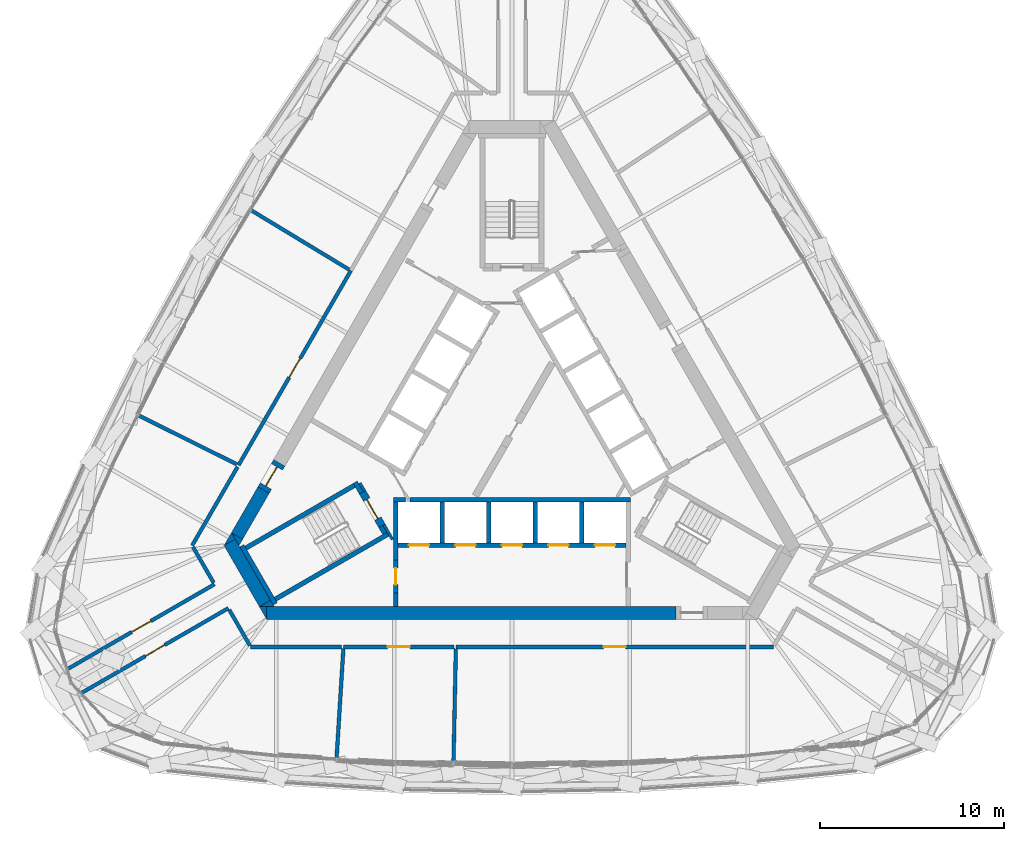
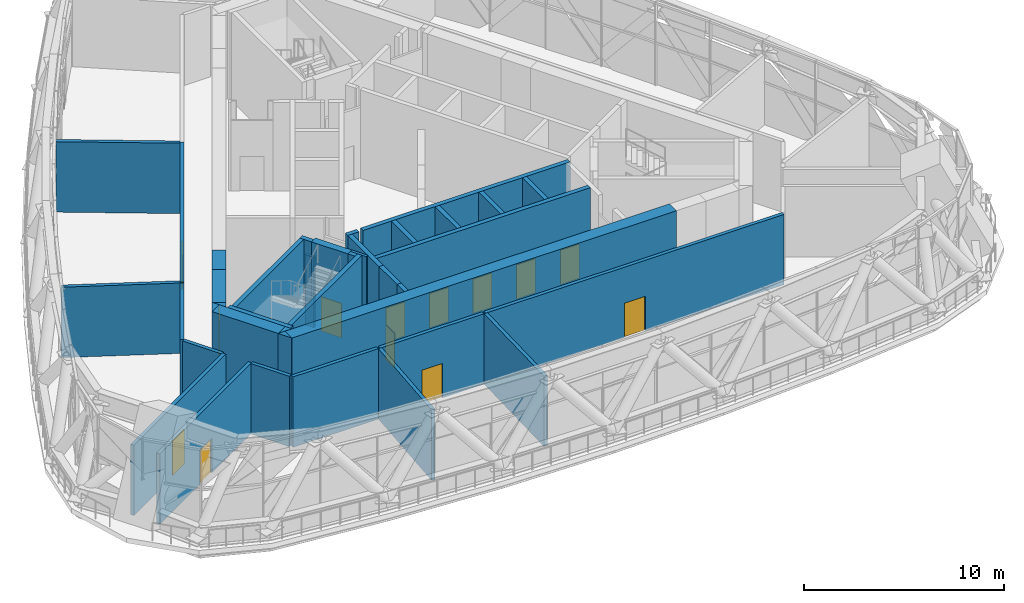
# One storey, part 20 of 33: 39 walls, 13 doors, 13 openings.
"""IFC4 building model written with IfcOpenShell, lengths in metres."""

from ifc_helpers import new_model, si_unit, direction, frame, frame_2d, origin, place, context, subcontext, project, spatial, polyline, rectangle, outline, extrude, material, layer, layer_set, type_object, element, fill, save


model = new_model("IFC4")

# Units and contexts
model_context = context("Model", 3, precision=1e-05, world=origin(), true_north=direction((0.0, 1.0)))
body_context = subcontext(model_context, "Body", "Model", "MODEL_VIEW")
ifc_project = project(units=[si_unit("LENGTHUNIT", "METRE"), si_unit("AREAUNIT", "SQUARE_METRE"), si_unit("VOLUMEUNIT", "CUBIC_METRE"), si_unit("PLANEANGLEUNIT", "RADIAN"), si_unit("MASSUNIT", "GRAM", prefix="KILO")], contexts=[model_context])

# Site, building, storey
site_placement = place(None, origin())
site = spatial("IfcSite", under=ifc_project, at=site_placement, CompositionType="ELEMENT")
building_placement = place(site_placement, origin())
building = spatial("IfcBuilding", under=site, at=building_placement, Name="Mestral Congress Tower", CompositionType="ELEMENT")
storey_placement = place(building_placement, frame((0.0, 0.0, 256.199951171875)))
storey = spatial("IfcBuildingStorey", under=building, at=storey_placement, Name="L60", CompositionType="ELEMENT", Elevation=256.199951171875)

# Walls
ifc_material_1 = material(Name="Fire-rated board partition")
ifc_layer_1 = layer(ifc_material_1, 0.14990234375)
ifc_layer_set_1 = layer_set([ifc_layer_1], Name="Fire-rated board partition")
wall_type_1 = type_object("IfcWallType", Name="Core partition 150", PredefinedType="PARTITIONING", material=ifc_layer_set_1)
wall_1_placement = place(storey_placement, frame((-8.251953125, -2.958251953125, 0.0), z_axis=(0.0, 0.0, 1.0), x_axis=(0.500174715838, -0.865924508047, 0.0)))
element("IfcWall", 1, at=wall_1_placement, inside=storey, type_object=wall_type_1, Name="L60 core wall", PredefinedType="PARTITIONING", context=body_context, shape_type="SweptSolid", body=[
    extrude(rectangle(XDim=0.513916015625, YDim=0.14990234375, at=frame_2d((0.2568359375, 0.0))), origin(), (0.0, 0.0, 1.0), 4.300048828125),
])
ifc_material_2 = material(Name="Concrete C60/75", Category="concrete")
ifc_layer_2 = layer(ifc_material_2, 0.699951171875)
ifc_layer_set_2 = layer_set([ifc_layer_2], Name="Concrete C60/75")
wall_type_2 = type_object("IfcWallType", Name="Core wall RC 700", PredefinedType="SOLIDWALL", material=ifc_layer_set_2)
wall_2_placement = place(storey_placement, frame((8.904296875, -10.0, 0.0), z_axis=(0.0, 0.0, 1.0), x_axis=(-1.0, 0.0, 0.0)))
element("IfcWall", 2, at=wall_2_placement, inside=storey, type_object=wall_type_2, Name="L60 core wall", PredefinedType="SOLIDWALL", context=body_context, shape_type="SweptSolid", body=[
    extrude(rectangle(XDim=22.226318359375, YDim=0.699951171875, at=frame_2d((11.11328125, 0.0))), origin(), (0.0, 0.0, 1.0), 5.400146484375),
])
placement = place(storey_placement, origin())
element("IfcWall", 3, at=placement, inside=storey, type_object=wall_type_2, Name="L60 core wall", PredefinedType="SOLIDWALL", context=body_context, shape_type="SweptSolid", body=[
    extrude(outline(polyline([(-13.7119140625, -9.64990234375), (-13.323974609375, -9.64990234375), (-13.323974609375, -10.322021484375), (-13.7119140625, -9.64990234375)])), origin(), (0.0, 0.0, 1.0), 5.400146484375),
])
wall_4_placement = place(storey_placement, frame((-13.40185546875, -9.4873046875, 0.0), z_axis=(0.0, 0.0, 1.0), x_axis=(-0.500020498207, 0.866013568815, 0.0)))
element("IfcWall", 4, at=wall_4_placement, inside=storey, type_object=wall_type_2, Name="L60 core wall", PredefinedType="SOLIDWALL", context=body_context, shape_type="SweptSolid", body=[
    extrude(rectangle(XDim=3.828857421875, YDim=0.699951171875, at=frame_2d((1.91455078125, 0.0))), origin(), (0.0, 0.0, 1.0), 5.400146484375),
])
element("IfcWall", 5, at=placement, inside=storey, type_object=wall_type_2, Name="L60 core wall", PredefinedType="SOLIDWALL", context=body_context, shape_type="SweptSolid", body=[
    extrude(outline(polyline([(-15.01416015625, -5.99462890625), (-15.611083984375, -6.33935546875), (-15.213134765625, -5.64990234375), (-15.01416015625, -5.99462890625)])), origin(), (0.0, 0.0, 1.0), 5.400146484375),
])
element("IfcWall", 6, at=placement, inside=storey, type_object=wall_type_2, Name="L60 core wall", PredefinedType="SOLIDWALL", context=body_context, shape_type="SweptSolid", body=[
    extrude(outline(polyline([(-12.90380859375, -9.64990234375), (-13.6796875, -9.64990234375), (-13.097900390625, -9.31396484375), (-12.90380859375, -9.64990234375)])), origin(), (0.0, 0.0, 1.0), 5.400146484375),
])
wall_7_placement = place(storey_placement, frame((-13.474853515625, -3.33935546875, 0.0), z_axis=(0.0, 0.0, 1.0), x_axis=(-0.500008214683, -0.866020660983, 0.0)))
element("IfcWall", 7, at=wall_7_placement, inside=storey, type_object=wall_type_2, Name="L60 core wall", PredefinedType="SOLIDWALL", context=body_context, shape_type="SweptSolid", body=[
    extrude(rectangle(XDim=2.88427734375, YDim=0.699951171875, at=frame_2d((1.442138671875, 0.0))), origin(), (0.0, 0.0, 1.0), 5.400146484375),
])
element("IfcWall", 8, at=placement, inside=storey, type_object=wall_type_2, Name="L60 core wall", PredefinedType="SOLIDWALL", context=body_context, shape_type="SweptSolid", body=[
    extrude(outline(polyline([(-14.80908203125, -6.35009765625), (-15.197021484375, -5.677978515625), (-14.614990234375, -6.013916015625), (-14.80908203125, -6.35009765625)])), origin(), (0.0, 0.0, 1.0), 5.400146484375),
])

# Wall, opening, door
wall_9_placement = place(storey_placement, frame((-13.474853515625, -3.339111328125, 0.0), z_axis=(0.0, 0.0, 1.0), x_axis=(0.499954529098, 0.86605165483, 0.0)))
wall_9 = element("IfcWall", 9, at=wall_9_placement, inside=storey, type_object=wall_type_2, Name="L60 door wall", PredefinedType="SOLIDWALL", context=body_context, shape_type="SweptSolid", body=[
    extrude(rectangle(XDim=1.699951171875, YDim=0.699951171875, at=frame_2d((0.85009765625, 0.0))), origin(), (0.0, 0.0, 1.0), 5.400146484375),
])
opening_1_placement = place(wall_9_placement, frame((0.25, 0.0, 0.0)))
opening_1 = element("IfcOpeningElement", 10, at=opening_1_placement, cuts=wall_9, Name="Opening XD3", PredefinedType="OPENING", context=body_context, shape_type="SweptSolid", body=[
    extrude(rectangle(XDim=1.199951171875, YDim=2.10009765625, at=frame_2d((0.60009765625, 1.050048828125))), frame((0.0, 0.35986328125, 0.0), z_axis=(0.0, -1.0, 0.0), x_axis=(1.0, 0.0, 0.0)), (0.0, 0.0, 1.0), 0.719970703125),
])
ifc_material_3 = material(Name="Fire-rated steel door set", Category="steel")
door_type_1 = type_object("IfcDoorType", Name="Core door XD 1200x2100", OperationType="SINGLE_SWING_LEFT", PredefinedType="DOOR", material=ifc_material_3)
door_1_placement = place(opening_1_placement, origin())
door_1 = element("IfcDoor", 11, at=door_1_placement, inside=storey, type_object=door_type_1, Name="Door XD3", OperationType="SINGLE_SWING_LEFT", OverallHeight=2.10009765625, OverallWidth=1.199951171875, PredefinedType="DOOR", context=body_context, shape_type="SweptSolid", body=[
    extrude(rectangle(XDim=1.199951171875, YDim=2.10009765625, at=frame_2d((0.60009765625, 1.050048828125))), frame((0.0, 0.02490234375, 0.0), z_axis=(0.0, -1.0, 0.0), x_axis=(1.0, 0.0, 0.0)), (0.0, 0.0, 1.0), 0.050048828125),
])
fill(opening_1, door_1)

# Walls
ifc_layer_3 = layer(ifc_material_2, 0.25)
ifc_layer_set_3 = layer_set([ifc_layer_3], Name="Concrete C60/75")
wall_type_3 = type_object("IfcWallType", Name="Shaft wall RC 250", PredefinedType="SOLIDWALL", material=ifc_layer_set_3)
wall_10_placement = place(storey_placement, frame((-6.300048828125, -8.9248046875, 0.0), z_axis=(0.0, 0.0, 1.0), x_axis=(0.0, -1.0, 0.0)))
element("IfcWall", 12, at=wall_10_placement, inside=storey, type_object=wall_type_3, Name="L60 core wall", PredefinedType="SOLIDWALL", context=body_context, shape_type="SweptSolid", body=[
    extrude(rectangle(XDim=0.72509765625, YDim=0.25, at=frame_2d((0.362548828125, 0.0))), origin(), (0.0, 0.0, 1.0), 5.400146484375),
])
wall_11_placement = place(storey_placement, frame((-5.544921875, -3.875, 0.0), z_axis=(0.0, 0.0, 1.0), x_axis=(1.0, 0.0, 0.0)))
element("IfcWall", 13, at=wall_11_placement, inside=storey, type_object=wall_type_3, Name="L60 core wall", PredefinedType="SOLIDWALL", context=body_context, shape_type="SweptSolid", body=[
    extrude(rectangle(XDim=11.969970703125, YDim=0.25, at=frame_2d((5.98486328125, 0.0))), origin(), (0.0, 0.0, 1.0), 5.400146484375),
])
wall_12_placement = place(storey_placement, frame((-6.425048828125, -3.875, 0.0), z_axis=(0.0, 0.0, 1.0), x_axis=(1.0, 0.0, 0.0)))
element("IfcWall", 14, at=wall_12_placement, inside=storey, type_object=wall_type_3, Name="L60 core wall", PredefinedType="SOLIDWALL", context=body_context, shape_type="SweptSolid", body=[
    extrude(rectangle(XDim=0.657958984375, YDim=0.25, at=frame_2d((0.3291015625, 0.0))), origin(), (0.0, 0.0, 1.0), 5.400146484375),
])
for number, where, z_axis, x_axis, name in (
    (15, (3.780029296875, -4.0, 0.0), (0.0, 0.0, 1.0), (0.0, -1.0, 0.0), "L60 core wall"),
    (16, (1.260009765625, -4.0, 0.0), (0.0, 0.0, 1.0), (0.0, -1.0, 0.0), "L60 core wall"),
    (17, (-1.260009765625, -4.0, 0.0), (0.0, 0.0, 1.0), (0.0, -1.0, 0.0), "L60 core wall"),
    (18, (-3.780029296875, -4.0, 0.0), (0.0, 0.0, 1.0), (0.0, -1.0, 0.0), "L60 core wall"),
):
    element("IfcWall", number, at=place(storey_placement, frame(where, z_axis=z_axis, x_axis=x_axis)), inside=storey, type_object=wall_type_3, Name=name, PredefinedType="SOLIDWALL", context=body_context, shape_type="SweptSolid", body=[
        extrude(rectangle(XDim=2.199951171875, YDim=0.25, at=frame_2d((1.10009765625, 0.0))), origin(), (0.0, 0.0, 1.0), 5.400146484375),
    ])
wall_13_placement = place(storey_placement, frame((-6.300048828125, -7.12451171875, 0.0), z_axis=(0.0, 0.0, 1.0), x_axis=(0.0, 1.0, 0.0)))
element("IfcWall", 19, at=wall_13_placement, inside=storey, type_object=wall_type_3, Name="L60 core wall", PredefinedType="SOLIDWALL", context=body_context, shape_type="SweptSolid", body=[
    extrude(rectangle(XDim=3.12451171875, YDim=0.25, at=frame_2d((1.562255859375, 0.0))), origin(), (0.0, 0.0, 1.0), 5.400146484375),
])

# Wall, openings, doors
wall_14_placement = place(storey_placement, frame((-6.175048828125, -6.324951171875, 0.0), z_axis=(0.0, 0.0, 1.0), x_axis=(1.0, 0.0, 0.0)))
wall_14 = element("IfcWall", 20, at=wall_14_placement, inside=storey, type_object=wall_type_3, Name="L60 door wall", PredefinedType="SOLIDWALL", context=body_context, shape_type="SweptSolid", body=[
    extrude(rectangle(XDim=12.35009765625, YDim=0.25, at=frame_2d((6.175048828125, 0.0))), origin(), (0.0, 0.0, 1.0), 5.400146484375),
])
opening_2_placement = place(wall_14_placement, frame((0.5849609375, 0.0, 0.0)))
opening_2 = element("IfcOpeningElement", 21, at=opening_2_placement, cuts=wall_14, Name="Opening LD-SOB1", PredefinedType="OPENING", context=body_context, shape_type="SweptSolid", body=[
    extrude(rectangle(XDim=1.10009765625, YDim=2.10009765625, at=frame_2d((0.550048828125, 1.050048828125))), frame((0.0, 0.135009765625, 0.0), z_axis=(0.0, -1.0, 0.0), x_axis=(1.0, 0.0, 0.0)), (0.0, 0.0, 1.0), 0.27001953125),
])
opening_3_placement = place(wall_14_placement, frame((3.10498046875, 0.0, 0.0)))
opening_3 = element("IfcOpeningElement", 22, at=opening_3_placement, cuts=wall_14, Name="Opening LD-SOB2", PredefinedType="OPENING", context=body_context, shape_type="SweptSolid", body=[
    extrude(rectangle(XDim=1.10009765625, YDim=2.10009765625, at=frame_2d((0.550048828125, 1.050048828125))), frame((0.0, 0.135009765625, 0.0), z_axis=(0.0, -1.0, 0.0), x_axis=(1.0, 0.0, 0.0)), (0.0, 0.0, 1.0), 0.27001953125),
])
opening_4_placement = place(wall_14_placement, frame((5.625, 0.0, 0.0)))
opening_4 = element("IfcOpeningElement", 23, at=opening_4_placement, cuts=wall_14, Name="Opening LD-SOB3", PredefinedType="OPENING", context=body_context, shape_type="SweptSolid", body=[
    extrude(rectangle(XDim=1.10009765625, YDim=2.10009765625, at=frame_2d((0.550048828125, 1.050048828125))), frame((0.0, 0.135009765625, 0.0), z_axis=(0.0, -1.0, 0.0), x_axis=(1.0, 0.0, 0.0)), (0.0, 0.0, 1.0), 0.27001953125),
])
opening_5_placement = place(wall_14_placement, frame((8.14501953125, 0.0, 0.0)))
opening_5 = element("IfcOpeningElement", 24, at=opening_5_placement, cuts=wall_14, Name="Opening LD-SOB4", PredefinedType="OPENING", context=body_context, shape_type="SweptSolid", body=[
    extrude(rectangle(XDim=1.10009765625, YDim=2.10009765625, at=frame_2d((0.550048828125, 1.050048828125))), frame((0.0, 0.135009765625, 0.0), z_axis=(0.0, -1.0, 0.0), x_axis=(1.0, 0.0, 0.0)), (0.0, 0.0, 1.0), 0.27001953125),
])
opening_6_placement = place(wall_14_placement, frame((10.6650390625, 0.0, 0.0)))
opening_6 = element("IfcOpeningElement", 25, at=opening_6_placement, cuts=wall_14, Name="Opening LD-SOB5", PredefinedType="OPENING", context=body_context, shape_type="SweptSolid", body=[
    extrude(rectangle(XDim=1.10009765625, YDim=2.10009765625, at=frame_2d((0.550048828125, 1.050048828125))), frame((0.0, 0.135009765625, 0.0), z_axis=(0.0, -1.0, 0.0), x_axis=(1.0, 0.0, 0.0)), (0.0, 0.0, 1.0), 0.27001953125),
])
door_type_2 = type_object("IfcDoorType", Name="Core door LD 1100x2100", OperationType="DOUBLE_DOOR_SLIDING", PredefinedType="DOOR", material=ifc_material_3)
door_2_placement = place(opening_2_placement, origin())
door_2 = element("IfcDoor", 26, at=door_2_placement, inside=storey, type_object=door_type_2, Name="Door LD-SOB1", OperationType="DOUBLE_DOOR_SLIDING", OverallHeight=2.10009765625, OverallWidth=1.10009765625, PredefinedType="DOOR", context=body_context, shape_type="SweptSolid", body=[
    extrude(rectangle(XDim=1.10009765625, YDim=2.10009765625, at=frame_2d((0.550048828125, 1.050048828125))), frame((0.0, 0.02490234375, 0.0), z_axis=(0.0, -1.0, 0.0), x_axis=(1.0, 0.0, 0.0)), (0.0, 0.0, 1.0), 0.050048828125),
])
fill(opening_2, door_2)
door_3_placement = place(opening_3_placement, origin())
door_3 = element("IfcDoor", 27, at=door_3_placement, inside=storey, type_object=door_type_2, Name="Door LD-SOB2", OperationType="DOUBLE_DOOR_SLIDING", OverallHeight=2.10009765625, OverallWidth=1.10009765625, PredefinedType="DOOR", context=body_context, shape_type="SweptSolid", body=[
    extrude(rectangle(XDim=1.10009765625, YDim=2.10009765625, at=frame_2d((0.550048828125, 1.050048828125))), frame((0.0, 0.02490234375, 0.0), z_axis=(0.0, -1.0, 0.0), x_axis=(1.0, 0.0, 0.0)), (0.0, 0.0, 1.0), 0.050048828125),
])
fill(opening_3, door_3)
door_4_placement = place(opening_4_placement, origin())
door_4 = element("IfcDoor", 28, at=door_4_placement, inside=storey, type_object=door_type_2, Name="Door LD-SOB3", OperationType="DOUBLE_DOOR_SLIDING", OverallHeight=2.10009765625, OverallWidth=1.10009765625, PredefinedType="DOOR", context=body_context, shape_type="SweptSolid", body=[
    extrude(rectangle(XDim=1.10009765625, YDim=2.10009765625, at=frame_2d((0.550048828125, 1.050048828125))), frame((0.0, 0.02490234375, 0.0), z_axis=(0.0, -1.0, 0.0), x_axis=(1.0, 0.0, 0.0)), (0.0, 0.0, 1.0), 0.050048828125),
])
fill(opening_4, door_4)
door_5_placement = place(opening_5_placement, origin())
door_5 = element("IfcDoor", 29, at=door_5_placement, inside=storey, type_object=door_type_2, Name="Door LD-SOB4", OperationType="DOUBLE_DOOR_SLIDING", OverallHeight=2.10009765625, OverallWidth=1.10009765625, PredefinedType="DOOR", context=body_context, shape_type="SweptSolid", body=[
    extrude(rectangle(XDim=1.10009765625, YDim=2.10009765625, at=frame_2d((0.550048828125, 1.050048828125))), frame((0.0, 0.02490234375, 0.0), z_axis=(0.0, -1.0, 0.0), x_axis=(1.0, 0.0, 0.0)), (0.0, 0.0, 1.0), 0.050048828125),
])
fill(opening_5, door_5)
door_6_placement = place(opening_6_placement, origin())
door_6 = element("IfcDoor", 30, at=door_6_placement, inside=storey, type_object=door_type_2, Name="Door LD-SOB5", OperationType="DOUBLE_DOOR_SLIDING", OverallHeight=2.10009765625, OverallWidth=1.10009765625, PredefinedType="DOOR", context=body_context, shape_type="SweptSolid", body=[
    extrude(rectangle(XDim=1.10009765625, YDim=2.10009765625, at=frame_2d((0.550048828125, 1.050048828125))), frame((0.0, 0.02490234375, 0.0), z_axis=(0.0, -1.0, 0.0), x_axis=(1.0, 0.0, 0.0)), (0.0, 0.0, 1.0), 0.050048828125),
])
fill(opening_6, door_6)

# Wall, opening, door
wall_15_placement = place(storey_placement, frame((-6.300048828125, -7.12451171875, 0.0), z_axis=(0.0, 0.0, 1.0), x_axis=(0.0, -1.0, 0.0)))
wall_15 = element("IfcWall", 31, at=wall_15_placement, inside=storey, type_object=wall_type_3, Name="L60 door wall", PredefinedType="SOLIDWALL", context=body_context, shape_type="SweptSolid", body=[
    extrude(rectangle(XDim=1.800048828125, YDim=0.25, at=frame_2d((0.89990234375, 0.0))), origin(), (0.0, 0.0, 1.0), 5.400146484375),
])
opening_7_placement = place(wall_15_placement, frame((0.449951171875, 0.0, 0.0)))
opening_7 = element("IfcOpeningElement", 32, at=opening_7_placement, cuts=wall_15, Name="Opening TD3", PredefinedType="OPENING", context=body_context, shape_type="SweptSolid", body=[
    extrude(rectangle(XDim=0.89990234375, YDim=2.10009765625, at=frame_2d((0.449951171875, 1.050048828125))), frame((0.0, 0.135009765625, 0.0), z_axis=(0.0, -1.0, 0.0), x_axis=(1.0, 0.0, 0.0)), (0.0, 0.0, 1.0), 0.27001953125),
])
door_type_3 = type_object("IfcDoorType", Name="Core door SR 900x2100", OperationType="SINGLE_SWING_LEFT", PredefinedType="DOOR", material=ifc_material_3)
door_7_placement = place(opening_7_placement, origin())
door_7 = element("IfcDoor", 33, at=door_7_placement, inside=storey, type_object=door_type_3, Name="Door TD3", OperationType="SINGLE_SWING_LEFT", OverallHeight=2.10009765625, OverallWidth=0.89990234375, PredefinedType="DOOR", context=body_context, shape_type="SweptSolid", body=[
    extrude(rectangle(XDim=0.89990234375, YDim=2.10009765625, at=frame_2d((0.449951171875, 1.050048828125))), frame((0.0, 0.02490234375, 0.0), z_axis=(0.0, -1.0, 0.0), x_axis=(1.0, 0.0, 0.0)), (0.0, 0.0, 1.0), 0.050048828125),
])
fill(opening_7, door_7)

# Wall
ifc_layer_4 = layer(ifc_material_2, 0.14990234375)
ifc_layer_set_4 = layer_set([ifc_layer_4], Name="Concrete C60/75")
wall_type_4 = type_object("IfcWallType", Name="Shaft wall RC 250 door-wall 150", PredefinedType="SOLIDWALL", material=ifc_layer_set_4)
wall_16_placement = place(storey_placement, frame((-6.48046875, -6.026611328125, 0.0), z_axis=(0.0, 0.0, 1.0), x_axis=(-0.499927229454, 0.866067413802, 0.0)))
element("IfcWall", 34, at=wall_16_placement, inside=storey, type_object=wall_type_4, Name="L60 core wall", PredefinedType="PARTITIONING", context=body_context, shape_type="SweptSolid", body=[
    extrude(rectangle(XDim=0.928955078125, YDim=0.14990234375, at=frame_2d((0.46435546875, 0.0))), origin(), (0.0, 0.0, 1.0), 5.400146484375),
])

# Wall, opening, door
ifc_material_4 = material(Name="Concrete block wall, plastered", Category="concrete")
ifc_layer_5 = layer(ifc_material_4, 0.199951171875)
ifc_layer_set_5 = layer_set([ifc_layer_5], Name="Concrete block wall, plastered")
wall_type_5 = type_object("IfcWallType", Name="Special partition 200 EI 120", PredefinedType="PARTITIONING", material=ifc_layer_set_5)
wall_17_placement = place(storey_placement, frame((-3.043212890625, -11.85009765625, 0.0), z_axis=(0.0, 0.0, 1.0), x_axis=(1.0, 0.0, 0.0)))
wall_17 = element("IfcWall", 35, at=wall_17_placement, inside=storey, type_object=wall_type_5, Name="Partition", PredefinedType="PARTITIONING", context=body_context, shape_type="SweptSolid", body=[
    extrude(rectangle(XDim=17.217041015625, YDim=0.199951171875, at=frame_2d((8.6083984375, 0.0))), origin(), (0.0, 0.0, 1.0), 4.300048828125),
])
opening_8_placement = place(wall_17_placement, frame((8.008544921875, 0.0, 0.0)))
opening_8 = element("IfcOpeningElement", 36, at=opening_8_placement, cuts=wall_17, Name="Opening S60-004", PredefinedType="OPENING", context=body_context, shape_type="SweptSolid", body=[
    extrude(rectangle(XDim=1.199951171875, YDim=2.10009765625, at=frame_2d((0.60009765625, 1.050048828125))), frame((0.0, 0.10986328125, 0.0), z_axis=(0.0, -1.0, 0.0), x_axis=(1.0, 0.0, 0.0)), (0.0, 0.0, 1.0), 0.219970703125),
])
door_type_4 = type_object("IfcDoorType", Name="Refuge door 1200x2100", OperationType="SINGLE_SWING_LEFT", PredefinedType="DOOR", material=ifc_material_3)
door_8_placement = place(opening_8_placement, origin())
door_8 = element("IfcDoor", 37, at=door_8_placement, inside=storey, type_object=door_type_4, Name="Door S60-004", OperationType="SINGLE_SWING_LEFT", OverallHeight=2.10009765625, OverallWidth=1.199951171875, PredefinedType="DOOR", context=body_context, shape_type="SweptSolid", body=[
    extrude(rectangle(XDim=1.199951171875, YDim=2.10009765625, at=frame_2d((0.60009765625, 1.050048828125))), frame((0.0, 0.02490234375, 0.0), z_axis=(0.0, -1.0, 0.0), x_axis=(1.0, 0.0, 0.0)), (0.0, 0.0, 1.0), 0.050048828125),
])
fill(opening_8, door_8)

wall_18_placement = place(storey_placement, frame((-8.74072265625, 8.560546875, 0.0), z_axis=(0.0, 0.0, 1.0), x_axis=(-0.500009820262, -0.866019733979, 0.0)))
wall_18 = element("IfcWall", 38, at=wall_18_placement, inside=storey, type_object=wall_type_5, Name="Partition", PredefinedType="PARTITIONING", context=body_context, shape_type="SweptSolid", body=[
    extrude(rectangle(XDim=12.183349609375, YDim=0.199951171875, at=frame_2d((6.091796875, 0.0))), origin(), (0.0, 0.0, 1.0), 4.300048828125),
])
opening_9_placement = place(wall_18_placement, frame((5.49169921875, 0.0, 0.0)))
opening_9 = element("IfcOpeningElement", 39, at=opening_9_placement, cuts=wall_18, Name="Opening S60-011", PredefinedType="OPENING", context=body_context, shape_type="SweptSolid", body=[
    extrude(rectangle(XDim=1.199951171875, YDim=2.10009765625, at=frame_2d((0.60009765625, 1.050048828125))), frame((0.0, 0.10986328125, 0.0), z_axis=(0.0, -1.0, 0.0), x_axis=(1.0, 0.0, 0.0)), (0.0, 0.0, 1.0), 0.219970703125),
])
door_9_placement = place(opening_9_placement, origin())
door_9 = element("IfcDoor", 40, at=door_9_placement, inside=storey, type_object=door_type_4, Name="Door S60-011", OperationType="SINGLE_SWING_RIGHT", OverallHeight=2.10009765625, OverallWidth=1.199951171875, PredefinedType="DOOR", context=body_context, shape_type="SweptSolid", body=[
    extrude(rectangle(XDim=1.199951171875, YDim=2.10009765625, at=frame_2d((0.60009765625, 1.050048828125))), frame((0.0, 0.02490234375, 0.0), z_axis=(0.0, -1.0, 0.0), x_axis=(1.0, 0.0, 0.0)), (0.0, 0.0, 1.0), 0.050048828125),
])
fill(opening_9, door_9)

wall_19_placement = place(storey_placement, frame((-16.13671875, -8.450439453125, 0.0), z_axis=(0.0, 0.0, 1.0), x_axis=(-0.866028486751, -0.499994660107, 0.0)))
wall_19 = element("IfcWall", 41, at=wall_19_placement, inside=storey, type_object=wall_type_5, Name="Partition", PredefinedType="PARTITIONING", context=body_context, shape_type="SweptSolid", body=[
    extrude(rectangle(XDim=9.18701171875, YDim=0.199951171875, at=frame_2d((4.593505859375, 0.0))), origin(), (0.0, 0.0, 1.0), 4.300048828125),
])
opening_10_placement = place(wall_19_placement, frame((3.993408203125, 0.0, 0.0)))
opening_10 = element("IfcOpeningElement", 42, at=opening_10_placement, cuts=wall_19, Name="Opening S60-001", PredefinedType="OPENING", context=body_context, shape_type="SweptSolid", body=[
    extrude(rectangle(XDim=1.199951171875, YDim=2.10009765625, at=frame_2d((0.60009765625, 1.050048828125))), frame((0.0, 0.10986328125, 0.0), z_axis=(0.0, -1.0, 0.0), x_axis=(1.0, 0.0, 0.0)), (0.0, 0.0, 1.0), 0.219970703125),
])
door_10_placement = place(opening_10_placement, origin())
door_10 = element("IfcDoor", 43, at=door_10_placement, inside=storey, type_object=door_type_4, Name="Door S60-001", OperationType="SINGLE_SWING_RIGHT", OverallHeight=2.10009765625, OverallWidth=1.199951171875, PredefinedType="DOOR", context=body_context, shape_type="SweptSolid", body=[
    extrude(rectangle(XDim=1.199951171875, YDim=2.10009765625, at=frame_2d((0.60009765625, 1.050048828125))), frame((0.0, 0.02490234375, 0.0), z_axis=(0.0, -1.0, 0.0), x_axis=(1.0, 0.0, 0.0)), (0.0, 0.0, 1.0), 0.050048828125),
])
fill(opening_10, door_10)

wall_20_placement = place(storey_placement, frame((-23.343017578125, -14.343017578125, 0.0), z_axis=(0.0, 0.0, 1.0), x_axis=(0.866028486751, 0.499994660107, 0.0)))
wall_20 = element("IfcWall", 44, at=wall_20_placement, inside=storey, type_object=wall_type_5, Name="Partition", PredefinedType="PARTITIONING", context=body_context, shape_type="SweptSolid", body=[
    extrude(rectangle(XDim=9.18701171875, YDim=0.199951171875, at=frame_2d((4.593505859375, 0.0))), origin(), (0.0, 0.0, 1.0), 4.300048828125),
])
opening_11_placement = place(wall_20_placement, frame((3.993408203125, 0.0, 0.0)))
opening_11 = element("IfcOpeningElement", 45, at=opening_11_placement, cuts=wall_20, Name="Opening S60-002", PredefinedType="OPENING", context=body_context, shape_type="SweptSolid", body=[
    extrude(rectangle(XDim=1.199951171875, YDim=2.10009765625, at=frame_2d((0.60009765625, 1.050048828125))), frame((0.0, 0.10986328125, 0.0), z_axis=(0.0, -1.0, 0.0), x_axis=(1.0, 0.0, 0.0)), (0.0, 0.0, 1.0), 0.219970703125),
])
door_11_placement = place(opening_11_placement, origin())
door_11 = element("IfcDoor", 46, at=door_11_placement, inside=storey, type_object=door_type_4, Name="Door S60-002", OperationType="SINGLE_SWING_RIGHT", OverallHeight=2.10009765625, OverallWidth=1.199951171875, PredefinedType="DOOR", context=body_context, shape_type="SweptSolid", body=[
    extrude(rectangle(XDim=1.199951171875, YDim=2.10009765625, at=frame_2d((0.60009765625, 1.050048828125))), frame((0.0, 0.02490234375, 0.0), z_axis=(0.0, -1.0, 0.0), x_axis=(1.0, 0.0, 0.0)), (0.0, 0.0, 1.0), 0.050048828125),
])
fill(opening_11, door_11)

# Walls
wall_21_placement = place(storey_placement, frame((-3.045166015625, -11.949951171875, 0.0), z_axis=(0.0, 0.0, 1.0), x_axis=(-0.02077728557, -0.999784128902, 0.0)))
element("IfcWall", 47, at=wall_21_placement, inside=storey, type_object=wall_type_5, Name="Partition", PredefinedType="PARTITIONING", context=body_context, shape_type="SweptSolid", body=[
    extrude(rectangle(XDim=6.2158203125, YDim=0.199951171875, at=frame_2d((3.10791015625, 0.0))), origin(), (0.0, 0.0, 1.0), 4.300048828125),
])
wall_22_placement = place(storey_placement, frame((-8.8349609375, 8.617431640625, 0.0), z_axis=(0.0, 0.0, 1.0), x_axis=(-0.855455591174, 0.517876173935, 0.0)))
element("IfcWall", 48, at=wall_22_placement, inside=storey, type_object=wall_type_5, Name="Partition", PredefinedType="PARTITIONING", context=body_context, shape_type="SweptSolid", body=[
    extrude(rectangle(XDim=6.205810546875, YDim=0.199951171875, at=frame_2d((3.10302734375, 0.0))), origin(), (0.0, 0.0, 1.0), 4.300048828125),
])

# Wall, opening, door
wall_23_placement = place(storey_placement, frame((-9.139892578125, -11.85009765625, 0.0), z_axis=(0.0, 0.0, 1.0), x_axis=(1.0, 0.0, 0.0)))
wall_23 = element("IfcWall", 49, at=wall_23_placement, inside=storey, type_object=wall_type_5, Name="Partition", PredefinedType="PARTITIONING", context=body_context, shape_type="SweptSolid", body=[
    extrude(rectangle(XDim=5.9970703125, YDim=0.199951171875, at=frame_2d((2.99853515625, 0.0))), origin(), (0.0, 0.0, 1.0), 4.300048828125),
])
opening_12_placement = place(wall_23_placement, frame((2.3984375, 0.0, 0.0)))
opening_12 = element("IfcOpeningElement", 50, at=opening_12_placement, cuts=wall_23, Name="Opening S60-003", PredefinedType="OPENING", context=body_context, shape_type="SweptSolid", body=[
    extrude(rectangle(XDim=1.199951171875, YDim=2.10009765625, at=frame_2d((0.60009765625, 1.050048828125))), frame((0.0, 0.10986328125, 0.0), z_axis=(0.0, -1.0, 0.0), x_axis=(1.0, 0.0, 0.0)), (0.0, 0.0, 1.0), 0.219970703125),
])
door_type_5 = type_object("IfcDoorType", Name="Plant room door 1200x2100", OperationType="SINGLE_SWING_LEFT", PredefinedType="DOOR", material=ifc_material_3)
door_12_placement = place(opening_12_placement, origin())
door_12 = element("IfcDoor", 51, at=door_12_placement, inside=storey, type_object=door_type_5, Name="Door S60-003", OperationType="SINGLE_SWING_RIGHT", OverallHeight=2.10009765625, OverallWidth=1.199951171875, PredefinedType="DOOR", context=body_context, shape_type="SweptSolid", body=[
    extrude(rectangle(XDim=1.199951171875, YDim=2.10009765625, at=frame_2d((0.60009765625, 1.050048828125))), frame((0.0, 0.02490234375, 0.0), z_axis=(0.0, -1.0, 0.0), x_axis=(1.0, 0.0, 0.0)), (0.0, 0.0, 1.0), 0.050048828125),
])
fill(opening_12, door_12)

# Walls
wall_24_placement = place(storey_placement, frame((-9.14599609375, -11.94970703125, 0.0), z_axis=(0.0, 0.0, 1.0), x_axis=(-0.062232994457, -0.998061648597, 0.0)))
element("IfcWall", 52, at=wall_24_placement, inside=storey, type_object=wall_type_5, Name="Partition", PredefinedType="PARTITIONING", context=body_context, shape_type="SweptSolid", body=[
    extrude(rectangle(XDim=5.962890625, YDim=0.199951171875, at=frame_2d((2.9814453125, 0.0))), origin(), (0.0, 0.0, 1.0), 4.300048828125),
])
wall_25_placement = place(storey_placement, frame((-20.26123046875, 0.70849609375, 0.0), z_axis=(0.0, 0.0, 1.0), x_axis=(0.895456612303, -0.445148801507, 0.0)))
element("IfcWall", 53, at=wall_25_placement, inside=storey, type_object=wall_type_5, Name="Partition", PredefinedType="PARTITIONING", context=body_context, shape_type="SweptSolid", body=[
    extrude(rectangle(XDim=5.962646484375, YDim=0.199951171875, at=frame_2d((2.9814453125, 0.0))), origin(), (0.0, 0.0, 1.0), 4.300048828125),
])
for number, where, z_axis, x_axis, name in (
    (54, (-9.24951171875, -11.85009765625, 0.0), (0.0, 0.0, 1.0), (-1.0, 0.0, 0.0), "Partition"),
    (55, (-17.349365234375, -6.35009765625, 0.0), (0.0, 0.0, 1.0), (0.499994255055, 0.866028720605, 0.0), "Partition"),
):
    element("IfcWall", number, at=place(storey_placement, frame(where, z_axis=z_axis, x_axis=x_axis)), inside=storey, type_object=wall_type_5, Name=name, PredefinedType="PARTITIONING", context=body_context, shape_type="SweptSolid", body=[
        extrude(rectangle(XDim=4.92431640625, YDim=0.199951171875, at=frame_2d((2.462158203125, 0.0))), origin(), (0.0, 0.0, 1.0), 4.300048828125),
    ])
for number, where, z_axis, x_axis, name in (
    (56, (-14.218994140625, -11.772216796875, 0.0), (0.0, 0.0, 1.0), (-0.499968249168, 0.86604373436, 0.0), "Partition"),
    (57, (-16.186767578125, -8.364013671875, 0.0), (0.0, 0.0, 1.0), (-0.499968249168, 0.86604373436, 0.0), "Partition"),
):
    element("IfcWall", number, at=place(storey_placement, frame(where, z_axis=z_axis, x_axis=x_axis)), inside=storey, type_object=wall_type_5, Name=name, PredefinedType="PARTITIONING", context=body_context, shape_type="SweptSolid", body=[
        extrude(rectangle(XDim=2.235595703125, YDim=0.199951171875, at=frame_2d((1.11767578125, 0.0))), origin(), (0.0, 0.0, 1.0), 4.300048828125),
    ])
ifc_layer_6 = layer(ifc_material_2, 0.25)
ifc_layer_set_6 = layer_set([ifc_layer_6], Name="Concrete C60/75")
wall_type_6 = type_object("IfcWallType", Name="Stair wall RC 250", PredefinedType="SOLIDWALL", material=ifc_layer_set_6)
wall_26_placement = place(storey_placement, frame((-12.839599609375, -9.510986328125, 0.0), z_axis=(0.0, 0.0, 1.0), x_axis=(-0.499997733992, 0.866026712061, 0.0)))
element("IfcWall", 58, at=wall_26_placement, inside=storey, type_object=wall_type_6, Name="L60 core wall", PredefinedType="SOLIDWALL", context=body_context, shape_type="SweptSolid", body=[
    extrude(rectangle(XDim=3.6337890625, YDim=0.25, at=frame_2d((1.81689453125, 0.0))), origin(), (0.0, 0.0, 1.0), 5.400146484375),
])
wall_27_placement = place(storey_placement, frame((-14.43994140625, -6.489501953125, 0.0), z_axis=(0.0, 0.0, 1.0), x_axis=(0.866022966069, 0.500004222222, 0.0)))
element("IfcWall", 59, at=wall_27_placement, inside=storey, type_object=wall_type_6, Name="L60 core wall", PredefinedType="SOLIDWALL", context=body_context, shape_type="SweptSolid", body=[
    extrude(rectangle(XDim=6.80029296875, YDim=0.25, at=frame_2d((3.400146484375, 0.0))), origin(), (0.0, 0.0, 1.0), 5.400146484375),
])
wall_28_placement = place(storey_placement, frame((-8.167724609375, -3.503173828125, 0.0), z_axis=(0.0, 0.0, 1.0), x_axis=(-0.499952099219, 0.866053057547, 0.0)))
element("IfcWall", 60, at=wall_28_placement, inside=storey, type_object=wall_type_6, Name="L60 core wall", PredefinedType="SOLIDWALL", context=body_context, shape_type="SweptSolid", body=[
    extrude(rectangle(XDim=0.6748046875, YDim=0.25, at=frame_2d((0.33740234375, 0.0))), origin(), (0.0, 0.0, 1.0), 5.400146484375),
])
wall_29_placement = place(storey_placement, frame((-12.83984375, -9.2607421875, 0.0), z_axis=(0.0, 0.0, 1.0), x_axis=(0.866016039709, 0.500016218704, 0.0)))
element("IfcWall", 61, at=wall_29_placement, inside=storey, type_object=wall_type_6, Name="L60 core wall", PredefinedType="SOLIDWALL", context=body_context, shape_type="SweptSolid", body=[
    extrude(rectangle(XDim=7.050048828125, YDim=0.25, at=frame_2d((3.52490234375, 0.0))), origin(), (0.0, 0.0, 1.0), 5.400146484375),
])
wall_30_placement = place(storey_placement, frame((-6.905029296875, -5.68994140625, 0.0), z_axis=(0.0, 0.0, 1.0), x_axis=(-0.500402024738, 0.865793170242, 0.0)))
element("IfcWall", 62, at=wall_30_placement, inside=storey, type_object=wall_type_6, Name="L60 core wall", PredefinedType="SOLIDWALL", context=body_context, shape_type="SweptSolid", body=[
    extrude(rectangle(XDim=0.425048828125, YDim=0.25, at=frame_2d((0.21240234375, 0.0))), origin(), (0.0, 0.0, 1.0), 5.400146484375),
])

# Wall, opening, door
ifc_layer_7 = layer(ifc_material_2, 0.39990234375)
ifc_layer_set_7 = layer_set([ifc_layer_7], Name="Concrete C60/75")
wall_type_7 = type_object("IfcWallType", Name="Stair wall RC 250 door-wall 400", PredefinedType="SOLIDWALL", material=ifc_layer_set_7)
wall_31_placement = place(storey_placement, frame((-8.102783203125, -3.4658203125, 0.0), z_axis=(0.0, 0.0, 1.0), x_axis=(0.500078061341, -0.865980330357, 0.0)))
wall_31 = element("IfcWall", 63, at=wall_31_placement, inside=storey, type_object=wall_type_7, Name="L60 door wall", PredefinedType="SOLIDWALL", context=body_context, shape_type="SweptSolid", body=[
    extrude(rectangle(XDim=2.099853515625, YDim=0.39990234375, at=frame_2d((1.0498046875, 0.0))), origin(), (0.0, 0.0, 1.0), 5.400146484375),
])
opening_13_placement = place(wall_31_placement, frame((0.449951171875, 0.0, 0.0)))
opening_13 = element("IfcOpeningElement", 64, at=opening_13_placement, cuts=wall_31, Name="Opening ST-D3", PredefinedType="OPENING", context=body_context, shape_type="SweptSolid", body=[
    extrude(rectangle(XDim=1.199951171875, YDim=2.10009765625, at=frame_2d((0.60009765625, 1.050048828125))), frame((0.0, 0.2099609375, 0.0), z_axis=(0.0, -1.0, 0.0), x_axis=(1.0, 0.0, 0.0)), (0.0, 0.0, 1.0), 0.419921875),
])
door_type_6 = type_object("IfcDoorType", Name="Core door ST 1200x2100", OperationType="SINGLE_SWING_LEFT", PredefinedType="DOOR", material=ifc_material_3)
door_13_placement = place(opening_13_placement, origin())
door_13 = element("IfcDoor", 65, at=door_13_placement, inside=storey, type_object=door_type_6, Name="Door ST-D3", OperationType="SINGLE_SWING_LEFT", OverallHeight=2.10009765625, OverallWidth=1.199951171875, PredefinedType="DOOR", context=body_context, shape_type="SweptSolid", body=[
    extrude(rectangle(XDim=1.199951171875, YDim=2.10009765625, at=frame_2d((0.60009765625, 1.050048828125))), frame((0.0, 0.02490234375, 0.0), z_axis=(0.0, -1.0, 0.0), x_axis=(1.0, 0.0, 0.0)), (0.0, 0.0, 1.0), 0.050048828125),
])
fill(opening_13, door_13)

save(model, "model.ifc")
